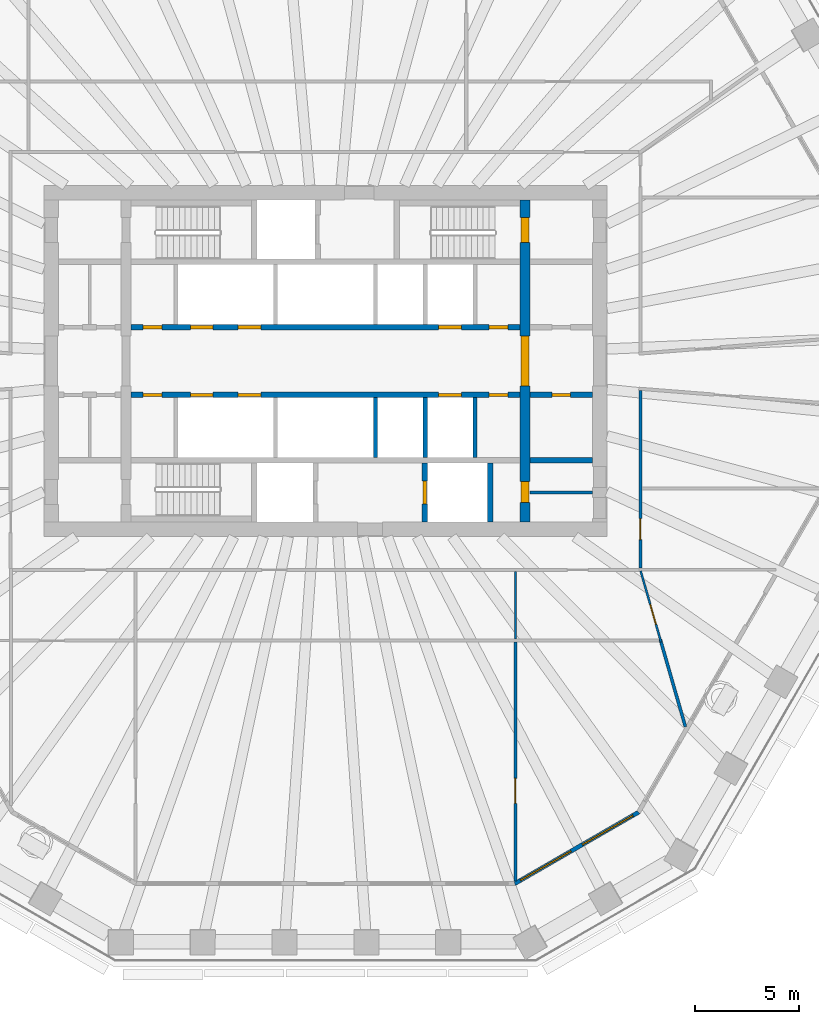
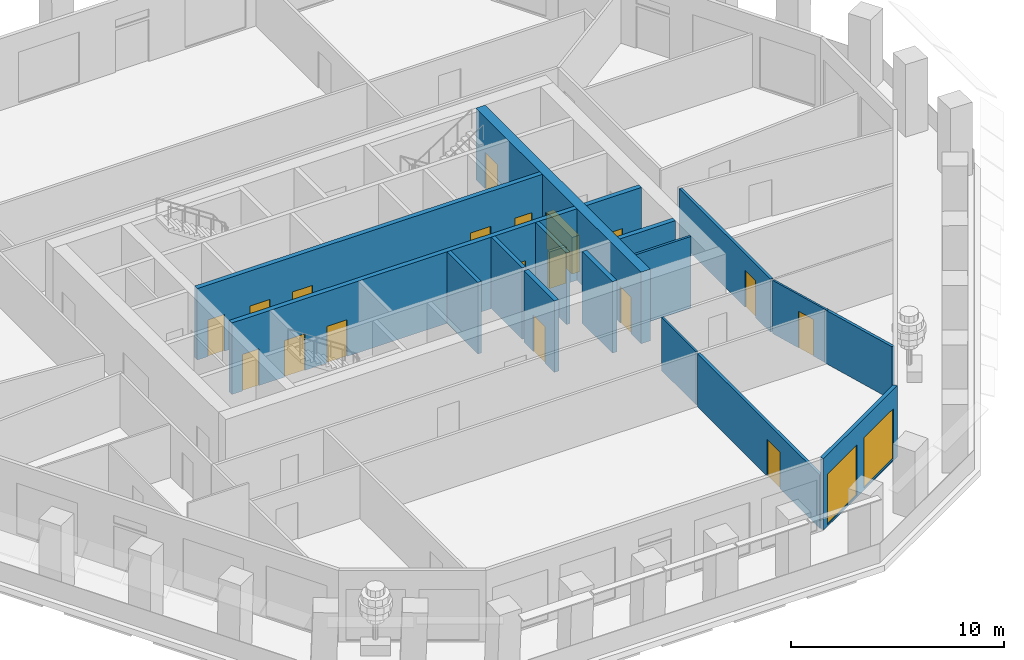
# One storey, part 5 of 13: 18 doors, 17 walls, 2 windows, 20 openings.
"""IFC4 building model written with IfcOpenShell, lengths in metres."""

from ifc_helpers import new_model, si_unit, direction, frame, frame_2d, origin, place, context, subcontext, project, spatial, polyline, rectangle, outline, extrude, material, layer, layer_set, type_object, element, fill, save


model = new_model("IFC4")

# Units and contexts
model_context = context("Model", 3, precision=1e-05, world=origin(), true_north=direction((0.0, 1.0)))
body_context = subcontext(model_context, "Body", "Model", "MODEL_VIEW")
ifc_project = project(units=[si_unit("LENGTHUNIT", "METRE"), si_unit("AREAUNIT", "SQUARE_METRE"), si_unit("VOLUMEUNIT", "CUBIC_METRE"), si_unit("PLANEANGLEUNIT", "RADIAN"), si_unit("MASSUNIT", "GRAM", prefix="KILO")], contexts=[model_context])

# Site, building, storey
site_placement = place(None, origin())
site = spatial("IfcSite", under=ifc_project, at=site_placement, CompositionType="ELEMENT")
building_placement = place(site_placement, origin())
building = spatial("IfcBuilding", under=site, at=building_placement, Name="Frailejon Research Tower", CompositionType="ELEMENT")
storey_placement = place(building_placement, frame((0.0, 0.0, 184.800048828125)))
storey = spatial("IfcBuildingStorey", under=building, at=storey_placement, Name="L40", CompositionType="ELEMENT", Elevation=184.800048828125)

# Wall
ifc_material_1 = material(Name="Plasterboard on steel studs", Category="steel")
ifc_layer_1 = layer(ifc_material_1, 0.125)
ifc_layer_set_1 = layer_set([ifc_layer_1], Name="Core partition 125")
wall_type_1 = type_object("IfcWallType", Name="Core partition 125", PredefinedType="PARTITIONING", material=ifc_layer_set_1)
wall_1_placement = place(storey_placement, frame((9.85009765625, -6.324951171875, 0.0), z_axis=(0.0, 0.0, 1.0), x_axis=(1.0, 0.0, 0.0)))
element("IfcWall", 1, at=wall_1_placement, inside=storey, type_object=wall_type_1, Name="Core partition", PredefinedType="PARTITIONING", context=body_context, shape_type="SweptSolid", body=[
    extrude(rectangle(XDim=3.0, YDim=0.125, at=frame_2d((1.5, 0.0))), origin(), (0.0, 0.0, 1.0), 4.099853515625),
])

# Wall, openings, doors
ifc_material_2 = material(Name="Concrete C60/75", Category="concrete")
ifc_layer_2 = layer(ifc_material_2, 0.5)
ifc_layer_set_2 = layer_set([ifc_layer_2], Name="Core shear wall 500 C60/75")
wall_type_2 = type_object("IfcWallType", Name="Core shear wall 500 C60/75", PredefinedType="SHEAR", material=ifc_layer_set_2)
wall_2_placement = place(storey_placement, frame((9.60009765625, -7.75, 0.0), z_axis=(0.0, 0.0, 1.0), x_axis=(0.0, 1.0, 0.0)))
wall_2 = element("IfcWall", 2, at=wall_2_placement, inside=storey, type_object=wall_type_2, Name="Core shear wall", PredefinedType="SHEAR", context=body_context, shape_type="SweptSolid", body=[
    extrude(rectangle(XDim=15.5, YDim=0.5, at=frame_2d((7.75, 0.0))), origin(), (0.0, 0.0, 1.0), 4.099853515625),
])
opening_1_placement = place(wall_2_placement, frame((6.550048828125, 0.0, 0.0)))
opening_1 = element("IfcOpeningElement", 3, at=opening_1_placement, cuts=wall_2, Name="Opening D2", PredefinedType="OPENING", context=body_context, shape_type="SweptSolid", body=[
    extrude(rectangle(XDim=2.39990234375, YDim=2.10009765625, at=frame_2d((1.199951171875, 1.050048828125))), frame((0.0, 0.260009765625, 0.0), z_axis=(0.0, -1.0, 0.0), x_axis=(1.0, 0.0, 0.0)), (0.0, 0.0, 1.0), 0.52001953125),
])
opening_2_placement = place(wall_2_placement, frame((13.449951171875, 0.0, 0.0)))
opening_2 = element("IfcOpeningElement", 4, at=opening_2_placement, cuts=wall_2, Name="Opening D1", PredefinedType="OPENING", context=body_context, shape_type="SweptSolid", body=[
    extrude(rectangle(XDim=1.199951171875, YDim=2.10009765625, at=frame_2d((0.60009765625, 1.050048828125))), frame((0.0, 0.260009765625, 0.0), z_axis=(0.0, -1.0, 0.0), x_axis=(1.0, 0.0, 0.0)), (0.0, 0.0, 1.0), 0.52001953125),
])
opening_3_placement = place(wall_2_placement, frame((0.949951171875, 0.0, 0.0)))
opening_3 = element("IfcOpeningElement", 5, at=opening_3_placement, cuts=wall_2, Name="Opening D4", PredefinedType="OPENING", context=body_context, shape_type="SweptSolid", body=[
    extrude(rectangle(XDim=1.0, YDim=2.10009765625, at=frame_2d((0.5, 1.050048828125))), frame((0.0, 0.260009765625, 0.0), z_axis=(0.0, -1.0, 0.0), x_axis=(1.0, 0.0, 0.0)), (0.0, 0.0, 1.0), 0.52001953125),
])
ifc_material_3 = material(Name="Steel", Category="steel")
door_type_1 = type_object("IfcDoorType", Name="Lobby double door", OperationType="DOUBLE_DOOR_SINGLE_SWING", PredefinedType="DOOR", material=ifc_material_3)
door_1_placement = place(opening_1_placement, origin())
door_1 = element("IfcDoor", 6, at=door_1_placement, inside=storey, type_object=door_type_1, Name="Lobby door", OperationType="DOUBLE_DOOR_SINGLE_SWING", OverallHeight=2.10009765625, OverallWidth=2.39990234375, PredefinedType="DOOR", context=body_context, shape_type="SweptSolid", body=[
    extrude(rectangle(XDim=2.39990234375, YDim=2.10009765625, at=frame_2d((1.199951171875, 1.050048828125))), frame((0.0, 0.199951171875, 0.0), z_axis=(0.0, -1.0, 0.0), x_axis=(1.0, 0.0, 0.0)), (0.0, 0.0, 1.0), 0.39990234375),
])
fill(opening_1, door_1)
ifc_material_4 = material(Name="Steel", Category="steel")
door_type_2 = type_object("IfcDoorType", Name="Service door", OperationType="SINGLE_SWING_LEFT", PredefinedType="DOOR", material=ifc_material_4)
door_2_placement = place(opening_3_placement, origin())
door_2 = element("IfcDoor", 7, at=door_2_placement, inside=storey, type_object=door_type_2, Name="Riser door", OperationType="SINGLE_SWING_LEFT", OverallHeight=2.10009765625, OverallWidth=1.0, PredefinedType="DOOR", context=body_context, shape_type="SweptSolid", body=[
    extrude(rectangle(XDim=1.0, YDim=2.10009765625, at=frame_2d((0.5, 1.050048828125))), frame((0.0, 0.199951171875, 0.0), z_axis=(0.0, -1.0, 0.0), x_axis=(1.0, 0.0, 0.0)), (0.0, 0.0, 1.0), 0.39990234375),
])
fill(opening_3, door_2)
ifc_material_5 = material(Name="Steel", Category="steel")
door_type_3 = type_object("IfcDoorType", Name="Stair door", OperationType="SINGLE_SWING_LEFT", PredefinedType="DOOR", material=ifc_material_5)
door_3_placement = place(opening_2_placement, origin())
door_3 = element("IfcDoor", 8, at=door_3_placement, inside=storey, type_object=door_type_3, Name="Stair door ST3", OperationType="SINGLE_SWING_LEFT", OverallHeight=2.10009765625, OverallWidth=1.199951171875, PredefinedType="DOOR", context=body_context, shape_type="SweptSolid", body=[
    extrude(rectangle(XDim=1.199951171875, YDim=2.10009765625, at=frame_2d((0.60009765625, 1.050048828125))), frame((0.0, 0.199951171875, 0.0), z_axis=(0.0, -1.0, 0.0), x_axis=(1.0, 0.0, 0.0)), (0.0, 0.0, 1.0), 0.39990234375),
])
fill(opening_2, door_3)

# Wall, opening, door
ifc_material_6 = material(Name="Gypsum board and masonry partition", Category="masonry")
ifc_layer_3 = layer(ifc_material_6, 0.14990234375)
ifc_layer_set_3 = layer_set([ifc_layer_3], Name="Corridor wall EI 60, gypsum on steel studs 150")
wall_type_3 = type_object("IfcWallType", Name="Corridor wall EI 60, gypsum on steel studs 150", PredefinedType="PARTITIONING", material=ifc_layer_set_3)
wall_3_placement = place(storey_placement, frame((15.14990234375, -9.968994140625, 0.0), z_axis=(0.0, 0.0, 1.0), x_axis=(0.0, 1.0, 0.0)))
wall_3 = element("IfcWall", 9, at=wall_3_placement, inside=storey, type_object=wall_type_3, Name="T:IW:L40:001", PredefinedType="PARTITIONING", context=body_context, shape_type="SweptSolid", body=[
    extrude(rectangle(XDim=8.556396484375, YDim=0.14990234375, at=frame_2d((4.2783203125, 0.0))), origin(), (0.0, 0.0, 1.0), 3.050048828125),
])
opening_4_placement = place(wall_3_placement, frame((1.381103515625, 0.0, 0.0)))
opening_4 = element("IfcOpeningElement", 10, at=opening_4_placement, cuts=wall_3, Name="Opening D1881", PredefinedType="OPENING", context=body_context, shape_type="SweptSolid", body=[
    extrude(rectangle(XDim=1.0, YDim=2.10009765625, at=frame_2d((0.5, 1.050048828125))), frame((0.0, 0.0849609375, 0.0), z_axis=(0.0, -1.0, 0.0), x_axis=(1.0, 0.0, 0.0)), (0.0, 0.0, 1.0), 0.169921875),
])
ifc_material_7 = material(Name="Timber door leaf", Category="wood")
door_type_4 = type_object("IfcDoorType", Name="Door single leaf, timber, steel frame 1000", OperationType="NOTDEFINED", PredefinedType="DOOR", material=ifc_material_7)
door_4_placement = place(opening_4_placement, origin())
door_4 = element("IfcDoor", 11, at=door_4_placement, inside=storey, type_object=door_type_4, Name="D1881", OperationType="SINGLE_SWING_RIGHT", OverallHeight=2.10009765625, OverallWidth=1.0, PredefinedType="DOOR", context=body_context, shape_type="SweptSolid", body=[
    extrude(rectangle(XDim=1.0, YDim=2.10009765625, at=frame_2d((0.5, 1.050048828125))), frame((0.0, 0.02490234375, 0.0), z_axis=(0.0, -1.0, 0.0), x_axis=(1.0, 0.0, 0.0)), (0.0, 0.0, 1.0), 0.050048828125),
])
fill(opening_4, door_4)

ifc_material_8 = material(Name="Gypsum board and masonry partition", Category="masonry")
ifc_layer_4 = layer(ifc_material_8, 0.14990234375)
ifc_layer_set_4 = layer_set([ifc_layer_4], Name="Laboratory partition, blockwork 150")
wall_type_4 = type_object("IfcWallType", Name="Laboratory partition, blockwork 150", PredefinedType="PARTITIONING", material=ifc_layer_set_4)
wall_4_placement = place(storey_placement, frame((9.137939453125, -25.013427734375, 0.0), z_axis=(0.0, 0.0, 1.0), x_axis=(0.0, 1.0, 0.0)))
wall_4 = element("IfcWall", 12, at=wall_4_placement, inside=storey, type_object=wall_type_4, Name="T:IW:L40:021", PredefinedType="PARTITIONING", context=body_context, shape_type="SweptSolid", body=[
    extrude(rectangle(XDim=11.488525390625, YDim=0.14990234375, at=frame_2d((5.744140625, 0.0))), origin(), (0.0, 0.0, 1.0), 3.050048828125),
])
opening_5_placement = place(wall_4_placement, frame((3.732177734375, 0.0, 0.0)))
opening_5 = element("IfcOpeningElement", 13, at=opening_5_placement, cuts=wall_4, Name="Opening D1878", PredefinedType="OPENING", context=body_context, shape_type="SweptSolid", body=[
    extrude(rectangle(XDim=1.199951171875, YDim=2.10009765625, at=frame_2d((0.60009765625, 1.050048828125))), frame((0.0, 0.0849609375, 0.0), z_axis=(0.0, -1.0, 0.0), x_axis=(1.0, 0.0, 0.0)), (0.0, 0.0, 1.0), 0.169921875),
])
ifc_material_9 = material(Name="Timber door leaf", Category="wood")
door_type_5 = type_object("IfcDoorType", Name="Door laboratory, timber, vision panel 1200", OperationType="NOTDEFINED", PredefinedType="DOOR", material=ifc_material_9)
door_5_placement = place(opening_5_placement, origin())
door_5 = element("IfcDoor", 14, at=door_5_placement, inside=storey, type_object=door_type_5, Name="D1878", OperationType="DOUBLE_DOOR_SINGLE_SWING", OverallHeight=2.10009765625, OverallWidth=1.199951171875, PredefinedType="DOOR", context=body_context, shape_type="SweptSolid", body=[
    extrude(rectangle(XDim=1.199951171875, YDim=2.10009765625, at=frame_2d((0.60009765625, 1.050048828125))), frame((0.0, 0.02490234375, 0.0), z_axis=(0.0, -1.0, 0.0), x_axis=(1.0, 0.0, 0.0)), (0.0, 0.0, 1.0), 0.050048828125),
])
fill(opening_5, door_5)

# Walls
wall_5_placement = place(storey_placement, frame((16.106201171875, -13.3779296875, 0.0), z_axis=(0.0, 0.0, 1.0), x_axis=(0.276181054881, -0.96110562631, 0.0)))
element("IfcWall", 15, at=wall_5_placement, inside=storey, type_object=wall_type_4, Name="T:IW:L40:022", PredefinedType="PARTITIONING", context=body_context, shape_type="SweptSolid", body=[
    extrude(rectangle(XDim=4.394287109375, YDim=0.14990234375, at=frame_2d((2.197265625, 0.0))), origin(), (0.0, 0.0, 1.0), 3.050048828125),
])
ifc_material_10 = material(Name="Gypsum board and masonry partition", Category="masonry")
ifc_layer_5 = layer(ifc_material_10, 0.10009765625)
ifc_layer_set_5 = layer_set([ifc_layer_5], Name="Partition, gypsum on steel studs 100")
wall_type_5 = type_object("IfcWallType", Name="Partition, gypsum on steel studs 100", PredefinedType="PARTITIONING", material=ifc_layer_set_5)
wall_6_placement = place(storey_placement, frame((9.137939453125, -13.375, 0.0), z_axis=(0.0, 0.0, 1.0), x_axis=(0.0, 1.0, 0.0)))
element("IfcWall", 16, at=wall_6_placement, inside=storey, type_object=wall_type_5, Name="T:IW:L40:027", PredefinedType="PARTITIONING", context=body_context, shape_type="SweptSolid", body=[
    extrude(rectangle(XDim=3.25, YDim=0.10009765625, at=frame_2d((1.625, 0.0))), origin(), (0.0, 0.0, 1.0), 3.050048828125),
])

# Wall, opening, door
wall_7_placement = place(storey_placement, frame((15.163818359375, -10.09814453125, 0.0), z_axis=(0.0, 0.0, 1.0), x_axis=(0.276168961066, -0.961109101478, 0.0)))
wall_7 = element("IfcWall", 17, at=wall_7_placement, inside=storey, type_object=wall_type_5, Name="T:IW:L40:028", PredefinedType="PARTITIONING", context=body_context, shape_type="SweptSolid", body=[
    extrude(rectangle(XDim=3.562744140625, YDim=0.10009765625, at=frame_2d((1.78125, 0.0))), origin(), (0.0, 0.0, 1.0), 3.050048828125),
])
opening_6_placement = place(wall_7_placement, frame((1.67822265625, 0.0, 0.0)))
opening_6 = element("IfcOpeningElement", 18, at=opening_6_placement, cuts=wall_7, Name="Opening D1880", PredefinedType="OPENING", context=body_context, shape_type="SweptSolid", body=[
    extrude(rectangle(XDim=1.0, YDim=2.10009765625, at=frame_2d((0.5, 1.050048828125))), frame((0.0, 0.06005859375, 0.0), z_axis=(0.0, -1.0, 0.0), x_axis=(1.0, 0.0, 0.0)), (0.0, 0.0, 1.0), 0.1201171875),
])
door_6_placement = place(opening_6_placement, origin())
door_6 = element("IfcDoor", 19, at=door_6_placement, inside=storey, type_object=door_type_4, Name="D1880", OperationType="SINGLE_SWING_RIGHT", OverallHeight=2.10009765625, OverallWidth=1.0, PredefinedType="DOOR", context=body_context, shape_type="SweptSolid", body=[
    extrude(rectangle(XDim=1.0, YDim=2.10009765625, at=frame_2d((0.5, 1.050048828125))), frame((0.0, 0.02490234375, 0.0), z_axis=(0.0, -1.0, 0.0), x_axis=(1.0, 0.0, 0.0)), (0.0, 0.0, 1.0), 0.050048828125),
])
fill(opening_6, door_6)

# Walls
ifc_material_11 = material(Name="Concrete C60/75", Category="concrete")
ifc_layer_6 = layer(ifc_material_11, 0.199951171875)
ifc_layer_set_6 = layer_set([ifc_layer_6], Name="Shaft wall 200 C60/75")
wall_type_6 = type_object("IfcWallType", Name="Shaft wall 200 C60/75", PredefinedType="SOLIDWALL", material=ifc_layer_set_6)
for number, where, z_axis, x_axis, name in (
    (20, (2.39990234375, -4.64990234375, 0.0), (0.0, 0.0, 1.0), (0.0, 1.0, 0.0), "Shaft wall"),
    (21, (4.800048828125, -4.64990234375, 0.0), (0.0, 0.0, 1.0), (0.0, 1.0, 0.0), "Shaft wall"),
    (22, (7.199951171875, -4.64990234375, 0.0), (0.0, 0.0, 1.0), (0.0, 1.0, 0.0), "Shaft wall"),
):
    element("IfcWall", number, at=place(storey_placement, frame(where, z_axis=z_axis, x_axis=x_axis)), inside=storey, type_object=wall_type_6, Name=name, PredefinedType="SOLIDWALL", context=body_context, shape_type="SweptSolid", body=[
        extrude(rectangle(XDim=2.89990234375, YDim=0.199951171875, at=frame_2d((1.449951171875, 0.0))), origin(), (0.0, 0.0, 1.0), 4.099853515625),
    ])

# Wall, openings, doors
ifc_material_12 = material(Name="Concrete C60/75", Category="concrete")
ifc_layer_7 = layer(ifc_material_12, 0.25)
ifc_layer_set_7 = layer_set([ifc_layer_7], Name="Shaft wall 250 C60/75")
wall_type_7 = type_object("IfcWallType", Name="Shaft wall 250 C60/75", PredefinedType="SOLIDWALL", material=ifc_layer_set_7)
wall_8_placement = place(storey_placement, frame((-9.35009765625, 1.625, 0.0), z_axis=(0.0, 0.0, 1.0), x_axis=(1.0, 0.0, 0.0)))
wall_8 = element("IfcWall", 23, at=wall_8_placement, inside=storey, type_object=wall_type_7, Name="Shaft wall", PredefinedType="SOLIDWALL", context=body_context, shape_type="SweptSolid", body=[
    extrude(rectangle(XDim=18.7001953125, YDim=0.25, at=frame_2d((9.35009765625, 0.0))), origin(), (0.0, 0.0, 1.0), 4.099853515625),
])
opening_7_placement = place(wall_8_placement, frame((2.85009765625, 0.0, 0.0)))
opening_7 = element("IfcOpeningElement", 24, at=opening_7_placement, cuts=wall_8, Name="Opening LD", PredefinedType="OPENING", context=body_context, shape_type="SweptSolid", body=[
    extrude(rectangle(XDim=1.10009765625, YDim=2.10009765625, at=frame_2d((0.550048828125, 1.050048828125))), frame((0.0, 0.135009765625, 0.0), z_axis=(0.0, -1.0, 0.0), x_axis=(1.0, 0.0, 0.0)), (0.0, 0.0, 1.0), 0.27001953125),
])
opening_8_placement = place(wall_8_placement, frame((5.14990234375, 0.0, 0.0)))
opening_8 = element("IfcOpeningElement", 25, at=opening_8_placement, cuts=wall_8, Name="Opening LD", PredefinedType="OPENING", context=body_context, shape_type="SweptSolid", body=[
    extrude(rectangle(XDim=1.10009765625, YDim=2.10009765625, at=frame_2d((0.550048828125, 1.050048828125))), frame((0.0, 0.135009765625, 0.0), z_axis=(0.0, -1.0, 0.0), x_axis=(1.0, 0.0, 0.0)), (0.0, 0.0, 1.0), 0.27001953125),
])
opening_9_placement = place(wall_8_placement, frame((14.800048828125, 0.0, 0.0)))
opening_9 = element("IfcOpeningElement", 26, at=opening_9_placement, cuts=wall_8, Name="Opening LD", PredefinedType="OPENING", context=body_context, shape_type="SweptSolid", body=[
    extrude(rectangle(XDim=1.10009765625, YDim=2.10009765625, at=frame_2d((0.550048828125, 1.050048828125))), frame((0.0, 0.135009765625, 0.0), z_axis=(0.0, -1.0, 0.0), x_axis=(1.0, 0.0, 0.0)), (0.0, 0.0, 1.0), 0.27001953125),
])
opening_10_placement = place(wall_8_placement, frame((0.574951171875, 0.0, 0.0)))
opening_10 = element("IfcOpeningElement", 27, at=opening_10_placement, cuts=wall_8, Name="Opening D8", PredefinedType="OPENING", context=body_context, shape_type="SweptSolid", body=[
    extrude(rectangle(XDim=0.89990234375, YDim=2.10009765625, at=frame_2d((0.449951171875, 1.050048828125))), frame((0.0, 0.135009765625, 0.0), z_axis=(0.0, -1.0, 0.0), x_axis=(1.0, 0.0, 0.0)), (0.0, 0.0, 1.0), 0.27001953125),
])
opening_11_placement = place(wall_8_placement, frame((17.22509765625, 0.0, 0.0)))
opening_11 = element("IfcOpeningElement", 28, at=opening_11_placement, cuts=wall_8, Name="Opening D8", PredefinedType="OPENING", context=body_context, shape_type="SweptSolid", body=[
    extrude(rectangle(XDim=0.89990234375, YDim=2.10009765625, at=frame_2d((0.449951171875, 1.050048828125))), frame((0.0, 0.135009765625, 0.0), z_axis=(0.0, -1.0, 0.0), x_axis=(1.0, 0.0, 0.0)), (0.0, 0.0, 1.0), 0.27001953125),
])
ifc_material_13 = material(Name="Steel", Category="steel")
door_type_6 = type_object("IfcDoorType", Name="Core room door", OperationType="SINGLE_SWING_LEFT", PredefinedType="DOOR", material=ifc_material_13)
door_7_placement = place(opening_10_placement, origin())
door_7 = element("IfcDoor", 29, at=door_7_placement, inside=storey, type_object=door_type_6, Name="Room door", OperationType="SINGLE_SWING_RIGHT", OverallHeight=2.10009765625, OverallWidth=0.89990234375, PredefinedType="DOOR", context=body_context, shape_type="SweptSolid", body=[
    extrude(rectangle(XDim=0.89990234375, YDim=2.10009765625, at=frame_2d((0.449951171875, 1.050048828125))), frame((0.0, 0.074951171875, 0.0), z_axis=(0.0, -1.0, 0.0), x_axis=(1.0, 0.0, 0.0)), (0.0, 0.0, 1.0), 0.14990234375),
])
fill(opening_10, door_7)
door_8_placement = place(opening_11_placement, origin())
door_8 = element("IfcDoor", 30, at=door_8_placement, inside=storey, type_object=door_type_6, Name="Room door", OperationType="SINGLE_SWING_LEFT", OverallHeight=2.10009765625, OverallWidth=0.89990234375, PredefinedType="DOOR", context=body_context, shape_type="SweptSolid", body=[
    extrude(rectangle(XDim=0.89990234375, YDim=2.10009765625, at=frame_2d((0.449951171875, 1.050048828125))), frame((0.0, 0.074951171875, 0.0), z_axis=(0.0, -1.0, 0.0), x_axis=(1.0, 0.0, 0.0)), (0.0, 0.0, 1.0), 0.14990234375),
])
fill(opening_11, door_8)
ifc_material_14 = material(Name="Steel", Category="steel")
door_type_7 = type_object("IfcDoorType", Name="Lift landing door", OperationType="DOUBLE_DOOR_SLIDING", PredefinedType="DOOR", material=ifc_material_14)
door_9_placement = place(opening_7_placement, origin())
door_9 = element("IfcDoor", 31, at=door_9_placement, inside=storey, type_object=door_type_7, Name="Lift landing door", OperationType="DOUBLE_DOOR_SLIDING", OverallHeight=2.10009765625, OverallWidth=1.10009765625, PredefinedType="DOOR", context=body_context, shape_type="SweptSolid", body=[
    extrude(rectangle(XDim=1.10009765625, YDim=2.10009765625, at=frame_2d((0.550048828125, 1.050048828125))), frame((0.0, 0.074951171875, 0.0), z_axis=(0.0, -1.0, 0.0), x_axis=(1.0, 0.0, 0.0)), (0.0, 0.0, 1.0), 0.14990234375),
])
fill(opening_7, door_9)
door_10_placement = place(opening_8_placement, origin())
door_10 = element("IfcDoor", 32, at=door_10_placement, inside=storey, type_object=door_type_7, Name="Lift landing door", OperationType="DOUBLE_DOOR_SLIDING", OverallHeight=2.10009765625, OverallWidth=1.10009765625, PredefinedType="DOOR", context=body_context, shape_type="SweptSolid", body=[
    extrude(rectangle(XDim=1.10009765625, YDim=2.10009765625, at=frame_2d((0.550048828125, 1.050048828125))), frame((0.0, 0.074951171875, 0.0), z_axis=(0.0, -1.0, 0.0), x_axis=(1.0, 0.0, 0.0)), (0.0, 0.0, 1.0), 0.14990234375),
])
fill(opening_8, door_10)
door_11_placement = place(opening_9_placement, origin())
door_11 = element("IfcDoor", 33, at=door_11_placement, inside=storey, type_object=door_type_7, Name="Lift landing door", OperationType="DOUBLE_DOOR_SLIDING", OverallHeight=2.10009765625, OverallWidth=1.10009765625, PredefinedType="DOOR", context=body_context, shape_type="SweptSolid", body=[
    extrude(rectangle(XDim=1.10009765625, YDim=2.10009765625, at=frame_2d((0.550048828125, 1.050048828125))), frame((0.0, 0.074951171875, 0.0), z_axis=(0.0, -1.0, 0.0), x_axis=(1.0, 0.0, 0.0)), (0.0, 0.0, 1.0), 0.14990234375),
])
fill(opening_9, door_11)

wall_9_placement = place(storey_placement, frame((-9.35009765625, -1.625, 0.0), z_axis=(0.0, 0.0, 1.0), x_axis=(1.0, 0.0, 0.0)))
wall_9 = element("IfcWall", 34, at=wall_9_placement, inside=storey, type_object=wall_type_7, Name="Shaft wall", PredefinedType="SOLIDWALL", context=body_context, shape_type="SweptSolid", body=[
    extrude(rectangle(XDim=18.7001953125, YDim=0.25, at=frame_2d((9.35009765625, 0.0))), origin(), (0.0, 0.0, 1.0), 4.099853515625),
])
opening_12_placement = place(wall_9_placement, frame((2.85009765625, 0.0, 0.0)))
opening_12 = element("IfcOpeningElement", 35, at=opening_12_placement, cuts=wall_9, Name="Opening LD", PredefinedType="OPENING", context=body_context, shape_type="SweptSolid", body=[
    extrude(rectangle(XDim=1.10009765625, YDim=2.10009765625, at=frame_2d((0.550048828125, 1.050048828125))), frame((0.0, 0.135009765625, 0.0), z_axis=(0.0, -1.0, 0.0), x_axis=(1.0, 0.0, 0.0)), (0.0, 0.0, 1.0), 0.27001953125),
])
opening_13_placement = place(wall_9_placement, frame((5.14990234375, 0.0, 0.0)))
opening_13 = element("IfcOpeningElement", 36, at=opening_13_placement, cuts=wall_9, Name="Opening LD", PredefinedType="OPENING", context=body_context, shape_type="SweptSolid", body=[
    extrude(rectangle(XDim=1.10009765625, YDim=2.10009765625, at=frame_2d((0.550048828125, 1.050048828125))), frame((0.0, 0.135009765625, 0.0), z_axis=(0.0, -1.0, 0.0), x_axis=(1.0, 0.0, 0.0)), (0.0, 0.0, 1.0), 0.27001953125),
])
opening_14_placement = place(wall_9_placement, frame((14.800048828125, 0.0, 0.0)))
opening_14 = element("IfcOpeningElement", 37, at=opening_14_placement, cuts=wall_9, Name="Opening LD", PredefinedType="OPENING", context=body_context, shape_type="SweptSolid", body=[
    extrude(rectangle(XDim=1.10009765625, YDim=2.10009765625, at=frame_2d((0.550048828125, 1.050048828125))), frame((0.0, 0.135009765625, 0.0), z_axis=(0.0, -1.0, 0.0), x_axis=(1.0, 0.0, 0.0)), (0.0, 0.0, 1.0), 0.27001953125),
])
opening_15_placement = place(wall_9_placement, frame((0.574951171875, 0.0, 0.0)))
opening_15 = element("IfcOpeningElement", 38, at=opening_15_placement, cuts=wall_9, Name="Opening D8", PredefinedType="OPENING", context=body_context, shape_type="SweptSolid", body=[
    extrude(rectangle(XDim=0.89990234375, YDim=2.10009765625, at=frame_2d((0.449951171875, 1.050048828125))), frame((0.0, 0.135009765625, 0.0), z_axis=(0.0, -1.0, 0.0), x_axis=(1.0, 0.0, 0.0)), (0.0, 0.0, 1.0), 0.27001953125),
])
opening_16_placement = place(wall_9_placement, frame((17.22509765625, 0.0, 0.0)))
opening_16 = element("IfcOpeningElement", 39, at=opening_16_placement, cuts=wall_9, Name="Opening D8", PredefinedType="OPENING", context=body_context, shape_type="SweptSolid", body=[
    extrude(rectangle(XDim=0.89990234375, YDim=2.10009765625, at=frame_2d((0.449951171875, 1.050048828125))), frame((0.0, 0.135009765625, 0.0), z_axis=(0.0, -1.0, 0.0), x_axis=(1.0, 0.0, 0.0)), (0.0, 0.0, 1.0), 0.27001953125),
])
door_12_placement = place(opening_15_placement, origin())
door_12 = element("IfcDoor", 40, at=door_12_placement, inside=storey, type_object=door_type_6, Name="Room door", OperationType="SINGLE_SWING_LEFT", OverallHeight=2.10009765625, OverallWidth=0.89990234375, PredefinedType="DOOR", context=body_context, shape_type="SweptSolid", body=[
    extrude(rectangle(XDim=0.89990234375, YDim=2.10009765625, at=frame_2d((0.449951171875, 1.050048828125))), frame((0.0, 0.074951171875, 0.0), z_axis=(0.0, -1.0, 0.0), x_axis=(1.0, 0.0, 0.0)), (0.0, 0.0, 1.0), 0.14990234375),
])
fill(opening_15, door_12)
door_13_placement = place(opening_16_placement, origin())
door_13 = element("IfcDoor", 41, at=door_13_placement, inside=storey, type_object=door_type_6, Name="Room door", OperationType="SINGLE_SWING_RIGHT", OverallHeight=2.10009765625, OverallWidth=0.89990234375, PredefinedType="DOOR", context=body_context, shape_type="SweptSolid", body=[
    extrude(rectangle(XDim=0.89990234375, YDim=2.10009765625, at=frame_2d((0.449951171875, 1.050048828125))), frame((0.0, 0.074951171875, 0.0), z_axis=(0.0, -1.0, 0.0), x_axis=(1.0, 0.0, 0.0)), (0.0, 0.0, 1.0), 0.14990234375),
])
fill(opening_16, door_13)
door_14_placement = place(opening_12_placement, origin())
door_14 = element("IfcDoor", 42, at=door_14_placement, inside=storey, type_object=door_type_7, Name="Lift landing door", OperationType="DOUBLE_DOOR_SLIDING", OverallHeight=2.10009765625, OverallWidth=1.10009765625, PredefinedType="DOOR", context=body_context, shape_type="SweptSolid", body=[
    extrude(rectangle(XDim=1.10009765625, YDim=2.10009765625, at=frame_2d((0.550048828125, 1.050048828125))), frame((0.0, 0.074951171875, 0.0), z_axis=(0.0, -1.0, 0.0), x_axis=(1.0, 0.0, 0.0)), (0.0, 0.0, 1.0), 0.14990234375),
])
fill(opening_12, door_14)
door_15_placement = place(opening_13_placement, origin())
door_15 = element("IfcDoor", 43, at=door_15_placement, inside=storey, type_object=door_type_7, Name="Lift landing door", OperationType="DOUBLE_DOOR_SLIDING", OverallHeight=2.10009765625, OverallWidth=1.10009765625, PredefinedType="DOOR", context=body_context, shape_type="SweptSolid", body=[
    extrude(rectangle(XDim=1.10009765625, YDim=2.10009765625, at=frame_2d((0.550048828125, 1.050048828125))), frame((0.0, 0.074951171875, 0.0), z_axis=(0.0, -1.0, 0.0), x_axis=(1.0, 0.0, 0.0)), (0.0, 0.0, 1.0), 0.14990234375),
])
fill(opening_13, door_15)
door_16_placement = place(opening_14_placement, origin())
door_16 = element("IfcDoor", 44, at=door_16_placement, inside=storey, type_object=door_type_7, Name="Lift landing door", OperationType="DOUBLE_DOOR_SLIDING", OverallHeight=2.10009765625, OverallWidth=1.10009765625, PredefinedType="DOOR", context=body_context, shape_type="SweptSolid", body=[
    extrude(rectangle(XDim=1.10009765625, YDim=2.10009765625, at=frame_2d((0.550048828125, 1.050048828125))), frame((0.0, 0.074951171875, 0.0), z_axis=(0.0, -1.0, 0.0), x_axis=(1.0, 0.0, 0.0)), (0.0, 0.0, 1.0), 0.14990234375),
])
fill(opening_14, door_16)

# Wall, opening, door
wall_10_placement = place(storey_placement, frame((9.85009765625, -1.625, 0.0), z_axis=(0.0, 0.0, 1.0), x_axis=(1.0, 0.0, 0.0)))
wall_10 = element("IfcWall", 45, at=wall_10_placement, inside=storey, type_object=wall_type_7, Name="Shaft wall", PredefinedType="SOLIDWALL", context=body_context, shape_type="SweptSolid", body=[
    extrude(rectangle(XDim=3.0, YDim=0.25, at=frame_2d((1.5, 0.0))), origin(), (0.0, 0.0, 1.0), 4.099853515625),
])
opening_17_placement = place(wall_10_placement, frame((1.050048828125, 0.0, 0.0)))
opening_17 = element("IfcOpeningElement", 46, at=opening_17_placement, cuts=wall_10, Name="Opening D8", PredefinedType="OPENING", context=body_context, shape_type="SweptSolid", body=[
    extrude(rectangle(XDim=0.89990234375, YDim=2.10009765625, at=frame_2d((0.449951171875, 1.050048828125))), frame((0.0, 0.135009765625, 0.0), z_axis=(0.0, -1.0, 0.0), x_axis=(1.0, 0.0, 0.0)), (0.0, 0.0, 1.0), 0.27001953125),
])
door_17_placement = place(opening_17_placement, origin())
door_17 = element("IfcDoor", 47, at=door_17_placement, inside=storey, type_object=door_type_6, Name="Room door", OperationType="SINGLE_SWING_LEFT", OverallHeight=2.10009765625, OverallWidth=0.89990234375, PredefinedType="DOOR", context=body_context, shape_type="SweptSolid", body=[
    extrude(rectangle(XDim=0.89990234375, YDim=2.10009765625, at=frame_2d((0.449951171875, 1.050048828125))), frame((0.0, 0.074951171875, 0.0), z_axis=(0.0, -1.0, 0.0), x_axis=(1.0, 0.0, 0.0)), (0.0, 0.0, 1.0), 0.14990234375),
])
fill(opening_17, door_17)

# Wall
wall_11_placement = place(storey_placement, frame((9.85009765625, -4.77490234375, 0.0), z_axis=(0.0, 0.0, 1.0), x_axis=(1.0, 0.0, 0.0)))
element("IfcWall", 48, at=wall_11_placement, inside=storey, type_object=wall_type_7, Name="Shaft wall", PredefinedType="SOLIDWALL", context=body_context, shape_type="SweptSolid", body=[
    extrude(rectangle(XDim=3.0, YDim=0.25, at=frame_2d((1.5, 0.0))), origin(), (0.0, 0.0, 1.0), 4.099853515625),
])

# Wall, opening, door
wall_12_placement = place(storey_placement, frame((4.77490234375, -7.75, 0.0), z_axis=(0.0, 0.0, 1.0), x_axis=(0.0, 1.0, 0.0)))
wall_12 = element("IfcWall", 49, at=wall_12_placement, inside=storey, type_object=wall_type_7, Name="Shaft wall", PredefinedType="SOLIDWALL", context=body_context, shape_type="SweptSolid", body=[
    extrude(rectangle(XDim=2.85009765625, YDim=0.25, at=frame_2d((1.425048828125, 0.0))), origin(), (0.0, 0.0, 1.0), 4.099853515625),
])
opening_18_placement = place(wall_12_placement, frame((0.875, 0.0, 0.0)))
opening_18 = element("IfcOpeningElement", 50, at=opening_18_placement, cuts=wall_12, Name="Opening LD", PredefinedType="OPENING", context=body_context, shape_type="SweptSolid", body=[
    extrude(rectangle(XDim=1.10009765625, YDim=2.10009765625, at=frame_2d((0.550048828125, 1.050048828125))), frame((0.0, 0.135009765625, 0.0), z_axis=(0.0, -1.0, 0.0), x_axis=(1.0, 0.0, 0.0)), (0.0, 0.0, 1.0), 0.27001953125),
])
door_18_placement = place(opening_18_placement, origin())
door_18 = element("IfcDoor", 51, at=door_18_placement, inside=storey, type_object=door_type_7, Name="Lift landing door", OperationType="DOUBLE_DOOR_SLIDING", OverallHeight=2.10009765625, OverallWidth=1.10009765625, PredefinedType="DOOR", context=body_context, shape_type="SweptSolid", body=[
    extrude(rectangle(XDim=1.10009765625, YDim=2.10009765625, at=frame_2d((0.550048828125, 1.050048828125))), frame((0.0, 0.074951171875, 0.0), z_axis=(0.0, -1.0, 0.0), x_axis=(1.0, 0.0, 0.0)), (0.0, 0.0, 1.0), 0.14990234375),
])
fill(opening_18, door_18)

# Wall
wall_13_placement = place(storey_placement, frame((7.925048828125, -7.75, 0.0), z_axis=(0.0, 0.0, 1.0), x_axis=(0.0, 1.0, 0.0)))
element("IfcWall", 52, at=wall_13_placement, inside=storey, type_object=wall_type_7, Name="Shaft wall", PredefinedType="SOLIDWALL", context=body_context, shape_type="SweptSolid", body=[
    extrude(rectangle(XDim=2.85009765625, YDim=0.25, at=frame_2d((1.425048828125, 0.0))), origin(), (0.0, 0.0, 1.0), 4.099853515625),
])

# Wall, openings, windows
ifc_material_15 = material(Name="Concrete C40/50 precast window wall panel", Category="concrete")
ifc_layer_8 = layer(ifc_material_15, 0.199951171875)
ifc_layer_set_8 = layer_set([ifc_layer_8], Name="Window wall 200")
wall_type_8 = type_object("IfcWallType", Name="Window wall 200", PredefinedType="SOLIDWALL", material=ifc_layer_set_8)
wall_14_placement = place(storey_placement, frame((9.111083984375, -25.14453125, 0.0), z_axis=(0.0, 0.0, 1.0), x_axis=(0.866029458321, 0.49999297727, 0.0)))
wall_14 = element("IfcWall", 53, at=wall_14_placement, inside=storey, type_object=wall_type_8, Name="Exterior wall L40", PredefinedType="SOLIDWALL", context=body_context, shape_type="SweptSolid", body=[
    extrude(outline(polyline([(-0.02685546875, -0.10009765625), (1.1279296875, -0.10009765625), (2.282470703125, -0.10009765625), (3.437255859375, -0.10009765625), (4.592041015625, -0.10009765625), (5.74658203125, -0.10009765625), (6.9013671875, -0.10009765625), (6.84765625, 0.10009765625), (5.7109375, 0.10009765625), (4.573974609375, 0.10009765625), (3.437255859375, 0.10009765625), (2.300537109375, 0.10009765625), (1.16357421875, 0.10009765625), (0.02685546875, 0.10009765625), (-0.02685546875, -0.10009765625)])), origin(), (0.0, 0.0, 1.0), 4.099853515625),
])
opening_19_placement = place(wall_14_placement, frame((0.318603515625, 0.0, 0.10009765625)))
opening_19 = element("IfcOpeningElement", 54, at=opening_19_placement, cuts=wall_14, Name="Opening W3", PredefinedType="OPENING", context=body_context, shape_type="SweptSolid", body=[
    extrude(rectangle(XDim=2.800048828125, YDim=2.89990234375, at=frame_2d((1.39990234375, 1.449951171875))), frame((0.0, 0.10986328125, 0.0), z_axis=(0.0, -1.0, 0.0), x_axis=(1.0, 0.0, 0.0)), (0.0, 0.0, 1.0), 0.219970703125),
])
opening_20_placement = place(wall_14_placement, frame((3.756103515625, 0.0, 0.10009765625)))
opening_20 = element("IfcOpeningElement", 55, at=opening_20_placement, cuts=wall_14, Name="Opening W3", PredefinedType="OPENING", context=body_context, shape_type="SweptSolid", body=[
    extrude(rectangle(XDim=2.800048828125, YDim=2.89990234375, at=frame_2d((1.39990234375, 1.449951171875))), frame((0.0, 0.10986328125, 0.0), z_axis=(0.0, -1.0, 0.0), x_axis=(1.0, 0.0, 0.0)), (0.0, 0.0, 1.0), 0.219970703125),
])
ifc_material_16 = material(Name="Aluminium framed double glazing", Category="aluminium")
window_type = type_object("IfcWindowType", Name="Window 2800x2900", PartitioningType="SINGLE_PANEL", PredefinedType="WINDOW", material=ifc_material_16)
window_1_placement = place(opening_19_placement, origin())
window_1 = element("IfcWindow", 56, at=window_1_placement, inside=storey, type_object=window_type, Name="Window L40", OverallHeight=2.89990234375, OverallWidth=2.800048828125, PartitioningType="SINGLE_PANEL", PredefinedType="WINDOW", context=body_context, shape_type="SweptSolid", body=[
    extrude(rectangle(XDim=2.800048828125, YDim=2.89990234375, at=frame_2d((1.39990234375, 1.449951171875))), frame((0.0, 0.030029296875, 0.0), z_axis=(0.0, -1.0, 0.0), x_axis=(1.0, 0.0, 0.0)), (0.0, 0.0, 1.0), 0.06005859375),
])
fill(opening_19, window_1)
window_2_placement = place(opening_20_placement, origin())
window_2 = element("IfcWindow", 57, at=window_2_placement, inside=storey, type_object=window_type, Name="Window L40", OverallHeight=2.89990234375, OverallWidth=2.800048828125, PartitioningType="SINGLE_PANEL", PredefinedType="WINDOW", context=body_context, shape_type="SweptSolid", body=[
    extrude(rectangle(XDim=2.800048828125, YDim=2.89990234375, at=frame_2d((1.39990234375, 1.449951171875))), frame((0.0, 0.030029296875, 0.0), z_axis=(0.0, -1.0, 0.0), x_axis=(1.0, 0.0, 0.0)), (0.0, 0.0, 1.0), 0.06005859375),
])
fill(opening_20, window_2)

save(model, "model.ifc")
